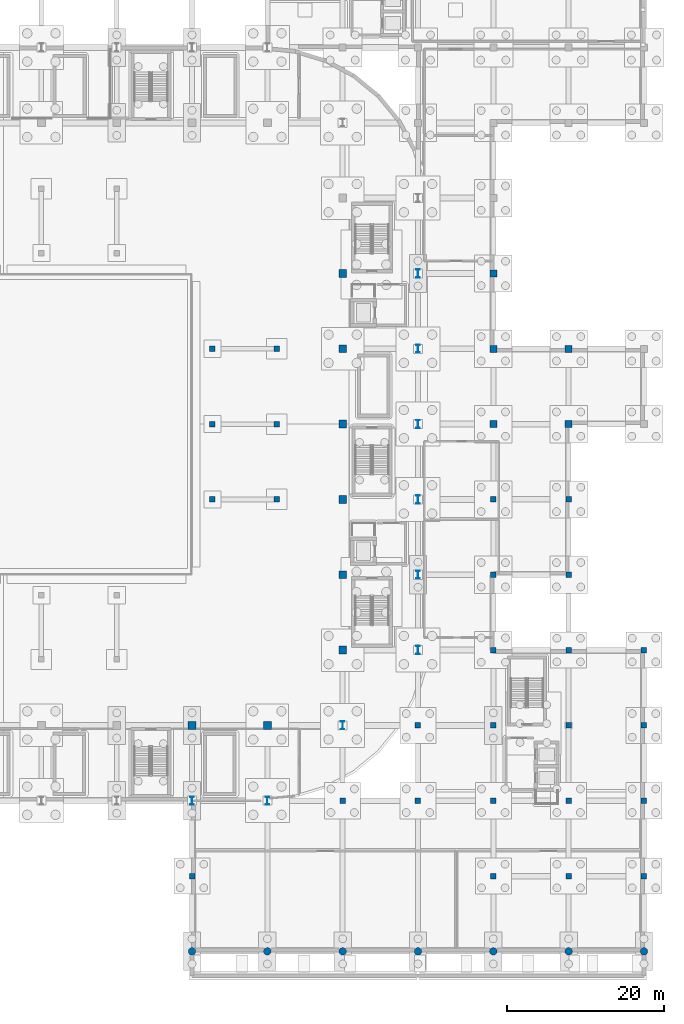
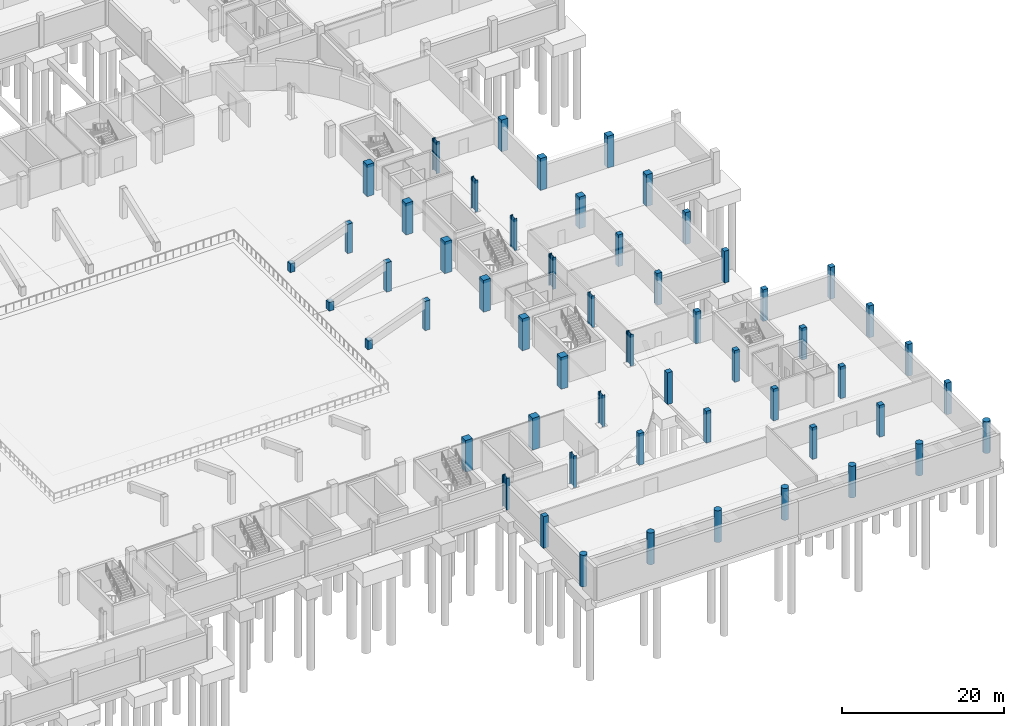
# One storey, part 20 of 67: 55 columns.
"""IFC4 building model written with IfcOpenShell, lengths in metres."""

import ifcopenshell
import ifcopenshell.guid

model = None  # the IFC model being written
_history = None  # IfcOwnerHistory: only IFC2X3 demands one
_inside = {}  # id of a spatial element -> (the spatial element, [elements in it])
_under = {}  # id of a project, library or spatial element -> (it, [spatial elements below it])
_declared = {}  # id of a project -> (the project, [libraries it declares])
_typed = {}  # id of a type object -> (the type object, [elements of that type])
_made_of = {}  # id of a material, layer set ... -> (it, [elements and type objects made of it])


def new_model(schema):
    """Start an empty IFC model of exactly this schema.

    Asked for "IFC4X3", IfcOpenShell would pick the latest addendum, in which some entities
    have other attributes; the version numbers below select the first issue.
    IFC2X3 requires an IfcOwnerHistory on every rooted entity: one is made here for all.
    """
    global model, _history
    if schema == "IFC4X3":
        model = ifcopenshell.file(schema_version=(4, 3, 0, 0))
    else:
        model = ifcopenshell.file(schema=schema)
    _inside.clear()
    _under.clear()
    _declared.clear()
    _typed.clear()
    _made_of.clear()
    _history = None
    if model.schema == "IFC2X3":
        org = make("IfcOrganization", Name="unknown")
        user = make(
            "IfcPersonAndOrganization",
            ThePerson=make("IfcPerson", FamilyName="unknown"),
            TheOrganization=org,
        )
        app = make(
            "IfcApplication",
            ApplicationDeveloper=org,
            Version="unknown",
            ApplicationFullName="unknown",
            ApplicationIdentifier="unknown",
        )
        _history = make(
            "IfcOwnerHistory",
            OwningUser=user,
            OwningApplication=app,
            ChangeAction="ADDED",
            CreationDate=0,
        )
    return model


def make(cls, **values):
    """One entity of the class cls with the attributes given. An attribute that is None is left unset."""
    return model.create_entity(
        cls, **{name: value for name, value in values.items() if value is not None}
    )


def rooted(cls, **values):
    """An entity with a GlobalId (a new one), such as an element, a storey or a relation."""
    return make(cls, GlobalId=ifcopenshell.guid.new(), OwnerHistory=_history, **values)


def si_unit(unit_type, name, prefix=None):
    """IfcSIUnit, for example si_unit("LENGTHUNIT", "METRE", prefix="MILLI")."""
    return make("IfcSIUnit", UnitType=unit_type, Prefix=prefix, Name=name)


def assignment(units):
    """IfcUnitAssignment: the units of a project."""
    return None if units is None else make("IfcUnitAssignment", Units=units)


def point(xyz):
    """IfcCartesianPoint."""
    return None if xyz is None else make("IfcCartesianPoint", Coordinates=xyz)


def direction(xyz):
    """IfcDirection."""
    return None if xyz is None else make("IfcDirection", DirectionRatios=xyz)


def frame(location, z_axis=None, x_axis=None):
    """IfcAxis2Placement3D, a coordinate frame: its origin and axes. An axis left out is left unset."""
    return make(
        "IfcAxis2Placement3D",
        Location=point(location),
        Axis=direction(z_axis),
        RefDirection=direction(x_axis),
    )


def frame_2d(location, x_axis=None):
    """IfcAxis2Placement2D, a coordinate frame in the plane: its origin and x axis."""
    return make(
        "IfcAxis2Placement2D", Location=point(location), RefDirection=direction(x_axis)
    )


def origin():
    """The frame at (0, 0, 0) with its axes left unset."""
    return frame((0.0, 0.0, 0.0))


def origin_2d():
    """The frame at (0, 0) in the plane with its x axis left unset."""
    return frame_2d((0.0, 0.0))


def place(relative_to, where):
    """IfcLocalPlacement: puts the frame where relative to a parent placement (None: the world)."""
    return make(
        "IfcLocalPlacement", PlacementRelTo=relative_to, RelativePlacement=where
    )


def context(
    kind, dimensions, precision=None, world=None, true_north=None, identifier=None
):
    """IfcGeometricRepresentationContext, for example the 3D "Model" context."""
    return make(
        "IfcGeometricRepresentationContext",
        ContextIdentifier=identifier,
        ContextType=kind,
        CoordinateSpaceDimension=dimensions,
        Precision=precision,
        WorldCoordinateSystem=world,
        TrueNorth=true_north,
    )


def subcontext(parent, identifier, kind, view, scale=None):
    """IfcGeometricRepresentationSubContext, for example "Body" below "Model"."""
    return make(
        "IfcGeometricRepresentationSubContext",
        ContextIdentifier=identifier,
        ContextType=kind,
        ParentContext=parent,
        TargetScale=scale,
        TargetView=view,
    )


def project(units=None, contexts=None):
    """IfcProject with its units and contexts."""
    return rooted(
        "IfcProject",
        Name="project",
        RepresentationContexts=contexts,
        UnitsInContext=assignment(units),
    )


def spatial(cls, under=None, at=None, **own):
    """A site, building, storey or space (cls), placed at a placement, below another one or the project."""
    s = rooted(cls, ObjectPlacement=at, **own)
    if under is not None:
        _under.setdefault(under.id(), (under, []))[1].append(s)
    return s


def profile(cls, at=None, kind="AREA", **sizes):
    """A parametric profile (cls). Its sizes go by their IFC names, for example OverallWidth=200.0."""
    return make(cls, ProfileType=kind, Position=at, **sizes)


def rectangle(**sizes):
    """IfcRectangleProfileDef."""
    return profile("IfcRectangleProfileDef", **sizes)


def circle(**sizes):
    """IfcCircleProfileDef."""
    return profile("IfcCircleProfileDef", **sizes)


def i_section(**sizes):
    """IfcIShapeProfileDef."""
    return profile("IfcIShapeProfileDef", **sizes)


def extrude(swept, where, along, depth):
    """IfcExtrudedAreaSolid: the profile swept, set in the frame where, extruded along a direction by depth."""
    return make(
        "IfcExtrudedAreaSolid",
        SweptArea=swept,
        Position=where,
        ExtrudedDirection=direction(along),
        Depth=depth,
    )


def shape(context_of_items, identifier, shape_type, items):
    """IfcShapeRepresentation: the items that make up one representation, for example the "Body"."""
    return make(
        "IfcShapeRepresentation",
        ContextOfItems=context_of_items,
        RepresentationIdentifier=identifier,
        RepresentationType=shape_type,
        Items=items,
    )


def material(Name=None, Category=None):
    """IfcMaterial."""
    return make("IfcMaterial", Name=Name, Category=Category)


def material_profile(
    of_material, cross_section, Name=None, Category=None, Priority=None
):
    """IfcMaterialProfile: a cross section and its material."""
    return make(
        "IfcMaterialProfile",
        Name=Name,
        Material=of_material,
        Profile=cross_section,
        Priority=Priority,
        Category=Category,
    )


def profile_set(profiles, Name=None, composite=None):
    """IfcMaterialProfileSet."""
    return make(
        "IfcMaterialProfileSet",
        Name=Name,
        MaterialProfiles=profiles,
        CompositeProfile=composite,
    )


def made_of(thing, what):
    """Note that an element or type object is made of a material, layer set ...; save() writes the relation."""
    if what is not None:
        _made_of.setdefault(what.id(), (what, []))[1].append(thing)
    return thing


def type_object(cls, material=None, **own):
    """A type object (cls), such as IfcWallType, which elements share."""
    return made_of(rooted(cls, **own), material)


def element(
    cls,
    number,
    at=None,
    inside=None,
    cuts=None,
    type_object=None,
    material=None,
    context=None,
    identifier="Body",
    shape_type=None,
    held_by="IfcProductDefinitionShape",
    body=None,
    shapes=None,
    **own,
):
    """One element of the class cls, such as IfcWall. Its Tag is "e" and its number.

    at: its placement. inside: the storey or other place that contains it. cuts: it is an
    opening in that element (IfcRelVoidsElement). A single representation is given by context,
    identifier, shape_type and body (its items); several are given by shapes. held_by: the class
    of the entity that holds the representations. save() writes the other relations.
    """
    e = rooted(cls, Tag="e%d" % number, ObjectPlacement=at, **own)
    if body is not None:
        shapes = [shape(context, identifier, shape_type, body)]
    if shapes is not None:
        e.Representation = make(held_by, Representations=shapes)
    if inside is not None:
        _inside.setdefault(inside.id(), (inside, []))[1].append(e)
    if cuts is not None:
        rooted(
            "IfcRelVoidsElement", RelatingBuildingElement=cuts, RelatedOpeningElement=e
        )
    if type_object is not None:
        _typed.setdefault(type_object.id(), (type_object, []))[1].append(e)
    return made_of(e, material)


def aggregate(whole, parts):
    """IfcRelAggregates: a whole, such as a stair, and the parts it consists of."""
    return rooted("IfcRelAggregates", RelatingObject=whole, RelatedObjects=parts)


def save(model, path):
    """Write the relations noted so far, then the file.

    IfcRelAggregates (storeys below a building ...), IfcRelContainedInSpatialStructure (elements
    in a storey), IfcRelDefinesByType, IfcRelAssociatesMaterial and IfcRelDeclares: one each for
    every whole, place, type object, material and project.
    """
    for whole, parts in _under.values():
        aggregate(whole, parts)
    for where, things in _inside.values():
        rooted(
            "IfcRelContainedInSpatialStructure",
            RelatedElements=things,
            RelatingStructure=where,
        )
    for kind, things in _typed.values():
        rooted("IfcRelDefinesByType", RelatedObjects=things, RelatingType=kind)
    for what, things in _made_of.values():
        rooted("IfcRelAssociatesMaterial", RelatedObjects=things, RelatingMaterial=what)
    for by, libraries in _declared.values():
        rooted("IfcRelDeclares", RelatingContext=by, RelatedDefinitions=libraries)
    model.write(path)


model = new_model("IFC4")

# Units and contexts
model_context = context("Model", 3, precision=1e-05, world=origin(), true_north=direction((0.0, 1.0)))
body_context = subcontext(model_context, "Body", "Model", "MODEL_VIEW")
ifc_project = project(units=[si_unit("LENGTHUNIT", "METRE"), si_unit("AREAUNIT", "SQUARE_METRE"), si_unit("VOLUMEUNIT", "CUBIC_METRE"), si_unit("PLANEANGLEUNIT", "RADIAN"), si_unit("MASSUNIT", "GRAM", prefix="KILO")], contexts=[model_context])

# Site, building, storey
site_placement = place(None, origin())
site = spatial("IfcSite", under=ifc_project, at=site_placement, CompositionType="ELEMENT")
building_placement = place(site_placement, origin())
building = spatial("IfcBuilding", under=site, at=building_placement, Name="Caelomonte Colonnade Arena", CompositionType="ELEMENT")
storey_placement = place(building_placement, frame((0.0, 0.0, -4.800048828125)))
storey = spatial("IfcBuildingStorey", under=building, at=storey_placement, Name="B1", CompositionType="ELEMENT", Elevation=-4.800048828125)

# Columns
ifc_material_1 = material(Name="Concrete C40/50", Category="concrete")
ifc_material_profile_1 = material_profile(ifc_material_1, rectangle(XDim=0.699951171875, YDim=0.699951171875, at=origin_2d()), Name="RC700X700")
ifc_profile_set_1 = profile_set([ifc_material_profile_1], Name="Concrete C40/50")
column_type_1 = type_object("IfcColumnType", Name="STR-COL-RC07", PredefinedType="COLUMN", material=ifc_profile_set_1)
for number, where, z_axis, x_axis, name in (
    (1, (134.39990234375, 9.60009765625, 0.0), (0.0, 0.0, 1.0), (1.0, 0.0, 0.0), "B1 column (134.4, 9.6)"),
    (2, (153.60009765625, 19.199951171875, 0.0), (0.0, 0.0, 1.0), (1.0, 0.0, 0.0), "B1 column (153.6, 19.2)"),
    (3, (163.199951171875, 19.199951171875, 0.0), (0.0, 0.0, 1.0), (1.0, 0.0, 0.0), "B1 column (163.2, 19.2)"),
    (4, (163.199951171875, 28.800048828125, 0.0), (0.0, 0.0, 1.0), (1.0, 0.0, 0.0), "B1 column (163.2, 28.8)"),
    (5, (172.800048828125, 9.60009765625, 0.0), (0.0, 0.0, 1.0), (1.0, 0.0, 0.0), "B1 column (172.8, 9.6)"),
    (6, (172.800048828125, 19.199951171875, 0.0), (0.0, 0.0, 1.0), (1.0, 0.0, 0.0), "B1 column (172.8, 19.2)"),
    (7, (172.800048828125, 28.800048828125, 0.0), (0.0, 0.0, 1.0), (1.0, 0.0, 0.0), "B1 column (172.8, 28.8)"),
    (8, (172.800048828125, 38.39990234375, 0.0), (0.0, 0.0, 1.0), (1.0, 0.0, 0.0), "B1 column (172.8, 38.4)"),
    (9, (172.800048828125, 48.0, 0.0), (0.0, 0.0, 1.0), (1.0, 0.0, 0.0), "B1 column (172.8, 48.0)"),
    (10, (172.800048828125, 57.60009765625, 0.0), (0.0, 0.0, 1.0), (1.0, 0.0, 0.0), "B1 column (172.8, 57.6)"),
    (11, (182.39990234375, 9.60009765625, 0.0), (0.0, 0.0, 1.0), (1.0, 0.0, 0.0), "B1 column (182.4, 9.6)"),
    (12, (182.39990234375, 19.199951171875, 0.0), (0.0, 0.0, 1.0), (1.0, 0.0, 0.0), "B1 column (182.4, 19.2)"),
    (13, (182.39990234375, 28.800048828125, 0.0), (0.0, 0.0, 1.0), (1.0, 0.0, 0.0), "B1 column (182.4, 28.8)"),
    (14, (182.39990234375, 38.39990234375, 0.0), (0.0, 0.0, 1.0), (1.0, 0.0, 0.0), "B1 column (182.4, 38.4)"),
    (15, (182.39990234375, 48.0, 0.0), (0.0, 0.0, 1.0), (1.0, 0.0, 0.0), "B1 column (182.4, 48.0)"),
    (16, (182.39990234375, 57.60009765625, 0.0), (0.0, 0.0, 1.0), (1.0, 0.0, 0.0), "B1 column (182.4, 57.6)"),
    (17, (192.0, 9.60009765625, 0.0), (0.0, 0.0, 1.0), (1.0, 0.0, 0.0), "B1 column (192.0, 9.6)"),
    (18, (192.0, 19.199951171875, 0.0), (0.0, 0.0, 1.0), (1.0, 0.0, 0.0), "B1 column (192.0, 19.2)"),
    (19, (192.0, 28.800048828125, 0.0), (0.0, 0.0, 1.0), (1.0, 0.0, 0.0), "B1 column (192.0, 28.8)"),
    (20, (192.0, 38.39990234375, 0.0), (0.0, 0.0, 1.0), (1.0, 0.0, 0.0), "B1 column (192.0, 38.4)"),
):
    element("IfcColumn", number, at=place(storey_placement, frame(where, z_axis=z_axis, x_axis=x_axis)), inside=storey, type_object=column_type_1, Name=name, PredefinedType="COLUMN", context=body_context, shape_type="SweptSolid", body=[
        extrude(rectangle(XDim=0.699951171875, YDim=0.699951171875, at=origin_2d()), origin(), (0.0, 0.0, 1.0), 4.800048828125),
    ])
column_1_placement = place(storey_placement, frame((137.0, 57.60009765625, 0.0), z_axis=(0.0, 0.0, 1.0), x_axis=(1.0, 0.0, 0.0)))
element("IfcColumn", 21, at=column_1_placement, inside=storey, type_object=column_type_1, Name="Lower raker inner pier E-57", PredefinedType="COLUMN", context=body_context, shape_type="SweptSolid", body=[
    extrude(rectangle(XDim=0.699951171875, YDim=0.699951171875, at=origin_2d()), origin(), (0.0, 0.0, 1.0), 1.300048828125),
])
column_2_placement = place(storey_placement, frame((145.199951171875, 57.60009765625, 0.0), z_axis=(0.0, 0.0, 1.0), x_axis=(1.0, 0.0, 0.0)))
element("IfcColumn", 22, at=column_2_placement, inside=storey, type_object=column_type_1, Name="Lower raker mid pier E-57", PredefinedType="COLUMN", context=body_context, shape_type="SweptSolid", body=[
    extrude(rectangle(XDim=0.699951171875, YDim=0.699951171875, at=origin_2d()), origin(), (0.0, 0.0, 1.0), 4.449951171875),
])
column_3_placement = place(storey_placement, frame((137.0, 67.199951171875, 0.0), z_axis=(0.0, 0.0, 1.0), x_axis=(1.0, 0.0, 0.0)))
element("IfcColumn", 23, at=column_3_placement, inside=storey, type_object=column_type_1, Name="Lower raker inner pier E-67", PredefinedType="COLUMN", context=body_context, shape_type="SweptSolid", body=[
    extrude(rectangle(XDim=0.699951171875, YDim=0.699951171875, at=origin_2d()), origin(), (0.0, 0.0, 1.0), 1.300048828125),
])
column_4_placement = place(storey_placement, frame((145.199951171875, 67.199951171875, 0.0), z_axis=(0.0, 0.0, 1.0), x_axis=(1.0, 0.0, 0.0)))
element("IfcColumn", 24, at=column_4_placement, inside=storey, type_object=column_type_1, Name="Lower raker mid pier E-67", PredefinedType="COLUMN", context=body_context, shape_type="SweptSolid", body=[
    extrude(rectangle(XDim=0.699951171875, YDim=0.699951171875, at=origin_2d()), origin(), (0.0, 0.0, 1.0), 4.449951171875),
])
column_5_placement = place(storey_placement, frame((137.0, 76.800048828125, 0.0), z_axis=(0.0, 0.0, 1.0), x_axis=(1.0, 0.0, 0.0)))
element("IfcColumn", 25, at=column_5_placement, inside=storey, type_object=column_type_1, Name="Lower raker inner pier E-76", PredefinedType="COLUMN", context=body_context, shape_type="SweptSolid", body=[
    extrude(rectangle(XDim=0.699951171875, YDim=0.699951171875, at=origin_2d()), origin(), (0.0, 0.0, 1.0), 1.300048828125),
])
column_6_placement = place(storey_placement, frame((145.199951171875, 76.800048828125, 0.0), z_axis=(0.0, 0.0, 1.0), x_axis=(1.0, 0.0, 0.0)))
element("IfcColumn", 26, at=column_6_placement, inside=storey, type_object=column_type_1, Name="Lower raker mid pier E-76", PredefinedType="COLUMN", context=body_context, shape_type="SweptSolid", body=[
    extrude(rectangle(XDim=0.699951171875, YDim=0.699951171875, at=origin_2d()), origin(), (0.0, 0.0, 1.0), 4.449951171875),
])
ifc_material_2 = material(Name="Concrete C50/60", Category="concrete")
ifc_material_profile_2 = material_profile(ifc_material_2, rectangle(XDim=0.89990234375, YDim=0.89990234375, at=origin_2d()), Name="RC900X900")
ifc_profile_set_2 = profile_set([ifc_material_profile_2], Name="Concrete C50/60")
column_type_2 = type_object("IfcColumnType", Name="STR-COL-RC09", PredefinedType="COLUMN", material=ifc_profile_set_2)
for number, where, z_axis, x_axis, name in (
    (27, (172.800048828125, 67.199951171875, 0.0), (0.0, 0.0, 1.0), (1.0, 0.0, 0.0), "B1 column (172.8, 67.2)"),
    (28, (172.800048828125, 76.800048828125, 0.0), (0.0, 0.0, 1.0), (1.0, 0.0, 0.0), "B1 column (172.8, 76.8)"),
    (29, (172.800048828125, 86.39990234375, 0.0), (0.0, 0.0, 1.0), (1.0, 0.0, 0.0), "B1 column (172.8, 86.4)"),
    (30, (182.39990234375, 67.199951171875, 0.0), (0.0, 0.0, 1.0), (1.0, 0.0, 0.0), "B1 column (182.4, 67.2)"),
    (31, (182.39990234375, 76.800048828125, 0.0), (0.0, 0.0, 1.0), (1.0, 0.0, 0.0), "B1 column (182.4, 76.8)"),
):
    element("IfcColumn", number, at=place(storey_placement, frame(where, z_axis=z_axis, x_axis=x_axis)), inside=storey, type_object=column_type_2, Name=name, PredefinedType="COLUMN", context=body_context, shape_type="SweptSolid", body=[
        extrude(rectangle(XDim=0.89990234375, YDim=0.89990234375, at=origin_2d()), origin(), (0.0, 0.0, 1.0), 4.800048828125),
    ])
ifc_material_profile_3 = material_profile(ifc_material_2, rectangle(XDim=1.0, YDim=1.0, at=origin_2d()), Name="RC1000X1000")
ifc_profile_set_3 = profile_set([ifc_material_profile_3], Name="Concrete C50/60")
column_type_3 = type_object("IfcColumnType", Name="STR-COL-RC10", PredefinedType="COLUMN", material=ifc_profile_set_3)
for number, where, z_axis, x_axis, name in (
    (32, (134.39990234375, 28.800048828125, 0.0), (0.0, 0.0, 1.0), (1.0, 0.0, 0.0), "B1 column (134.4, 28.8)"),
    (33, (144.0, 28.800048828125, 0.0), (0.0, 0.0, 1.0), (1.0, 0.0, 0.0), "B1 column (144.0, 28.8)"),
    (34, (153.60009765625, 38.39990234375, 0.0), (0.0, 0.0, 1.0), (1.0, 0.0, 0.0), "B1 column (153.6, 38.4)"),
    (35, (153.60009765625, 48.0, 0.0), (0.0, 0.0, 1.0), (1.0, 0.0, 0.0), "B1 column (153.6, 48.0)"),
    (36, (153.60009765625, 57.60009765625, 0.0), (0.0, 0.0, 1.0), (1.0, 0.0, 0.0), "B1 column (153.6, 57.6)"),
    (37, (153.60009765625, 67.199951171875, 0.0), (0.0, 0.0, 1.0), (1.0, 0.0, 0.0), "B1 column (153.6, 67.2)"),
    (38, (153.60009765625, 76.800048828125, 0.0), (0.0, 0.0, 1.0), (1.0, 0.0, 0.0), "B1 column (153.6, 76.8)"),
    (39, (153.60009765625, 86.39990234375, 0.0), (0.0, 0.0, 1.0), (1.0, 0.0, 0.0), "B1 column (153.6, 86.4)"),
):
    element("IfcColumn", number, at=place(storey_placement, frame(where, z_axis=z_axis, x_axis=x_axis)), inside=storey, type_object=column_type_3, Name=name, PredefinedType="COLUMN", context=body_context, shape_type="SweptSolid", body=[
        extrude(rectangle(XDim=1.0, YDim=1.0, at=origin_2d()), origin(), (0.0, 0.0, 1.0), 4.800048828125),
    ])
ifc_material_3 = material(Name="Wide-flange steel ASTM A992 Grade 50", Category="steel")
ifc_material_profile_4 = material_profile(ifc_material_3, i_section(OverallWidth=0.427001953125, OverallDepth=1.04150390625, WebThickness=0.031005859375, FlangeThickness=0.055908203125, FilletRadius=0.030517578125, at=origin_2d()), Name="W40X397")
ifc_profile_set_4 = profile_set([ifc_material_profile_4], Name="Wide-flange steel ASTM A992 Grade 50")
column_type_4 = type_object("IfcColumnType", Name="STR-COL-W40A", PredefinedType="COLUMN", material=ifc_profile_set_4)
for number, where, z_axis, x_axis, name in (
    (40, (134.39990234375, 19.199951171875, 0.0), (0.0, 0.0, 1.0), (1.0, 0.0, 0.0), "B1 column (134.4, 19.2)"),
    (41, (144.0, 19.199951171875, 0.0), (0.0, 0.0, 1.0), (1.0, 0.0, 0.0), "B1 column (144.0, 19.2)"),
    (42, (153.60009765625, 28.800048828125, 0.0), (0.0, 0.0, 1.0), (1.0, 0.0, 0.0), "B1 column (153.6, 28.8)"),
    (43, (163.199951171875, 38.39990234375, 0.0), (0.0, 0.0, 1.0), (1.0, 0.0, 0.0), "B1 column (163.2, 38.4)"),
    (44, (163.199951171875, 48.0, 0.0), (0.0, 0.0, 1.0), (1.0, 0.0, 0.0), "B1 column (163.2, 48.0)"),
    (45, (163.199951171875, 57.60009765625, 0.0), (0.0, 0.0, 1.0), (1.0, 0.0, 0.0), "B1 column (163.2, 57.6)"),
    (46, (163.199951171875, 67.199951171875, 0.0), (0.0, 0.0, 1.0), (1.0, 0.0, 0.0), "B1 column (163.2, 67.2)"),
    (47, (163.199951171875, 76.800048828125, 0.0), (0.0, 0.0, 1.0), (1.0, 0.0, 0.0), "B1 column (163.2, 76.8)"),
    (48, (163.199951171875, 86.39990234375, 0.0), (0.0, 0.0, 1.0), (1.0, 0.0, 0.0), "B1 column (163.2, 86.4)"),
):
    element("IfcColumn", number, at=place(storey_placement, frame(where, z_axis=z_axis, x_axis=x_axis)), inside=storey, type_object=column_type_4, Name=name, PredefinedType="COLUMN", context=body_context, shape_type="SweptSolid", body=[
        extrude(i_section(OverallWidth=0.427001953125, OverallDepth=1.04150390625, WebThickness=0.031005859375, FlangeThickness=0.055908203125, FilletRadius=0.030517578125, at=origin_2d()), origin(), (0.0, 0.0, 1.0), 4.800048828125),
    ])
ifc_material_profile_5 = material_profile(ifc_material_2, circle(Radius=0.47509765625, at=origin_2d()), Name="RC-COL950")
ifc_profile_set_5 = profile_set([ifc_material_profile_5], Name="Concrete C50/60")
column_type_5 = type_object("IfcColumnType", Name="STR-PIL-C950", PredefinedType="PILASTER", material=ifc_profile_set_5)
for number, where, z_axis, x_axis, name in (
    (49, (134.39990234375, 0.0, 0.0), (0.0, 0.0, 1.0), (1.0, 0.0, 0.0), "B1 column (134.4, 0.0)"),
    (50, (144.0, 0.0, 0.0), (0.0, 0.0, 1.0), (1.0, 0.0, 0.0), "B1 column (144.0, 0.0)"),
    (51, (153.60009765625, 0.0, 0.0), (0.0, 0.0, 1.0), (1.0, 0.0, 0.0), "B1 column (153.6, 0.0)"),
    (52, (163.199951171875, 0.0, 0.0), (0.0, 0.0, 1.0), (1.0, 0.0, 0.0), "B1 column (163.2, 0.0)"),
    (53, (172.800048828125, 0.0, 0.0), (0.0, 0.0, 1.0), (1.0, 0.0, 0.0), "B1 column (172.8, 0.0)"),
    (54, (182.39990234375, 0.0, 0.0), (0.0, 0.0, 1.0), (1.0, 0.0, 0.0), "B1 column (182.4, 0.0)"),
    (55, (192.0, 0.0, 0.0), (0.0, 0.0, 1.0), (1.0, 0.0, 0.0), "B1 column (192.0, 0.0)"),
):
    element("IfcColumn", number, at=place(storey_placement, frame(where, z_axis=z_axis, x_axis=x_axis)), inside=storey, type_object=column_type_5, Name=name, PredefinedType="PILASTER", context=body_context, shape_type="SweptSolid", body=[
        extrude(circle(Radius=0.47509765625, at=origin_2d()), origin(), (0.0, 0.0, 1.0), 4.800048828125),
    ])

save(model, "model.ifc")
